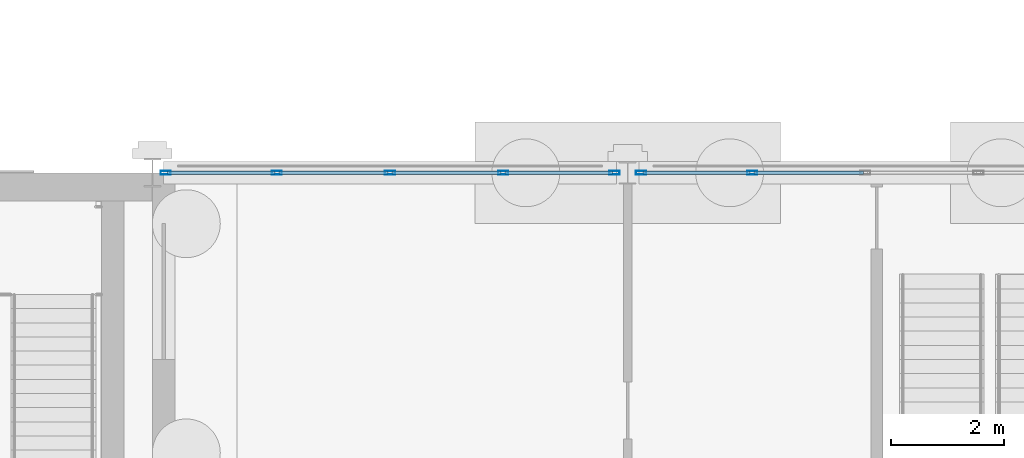
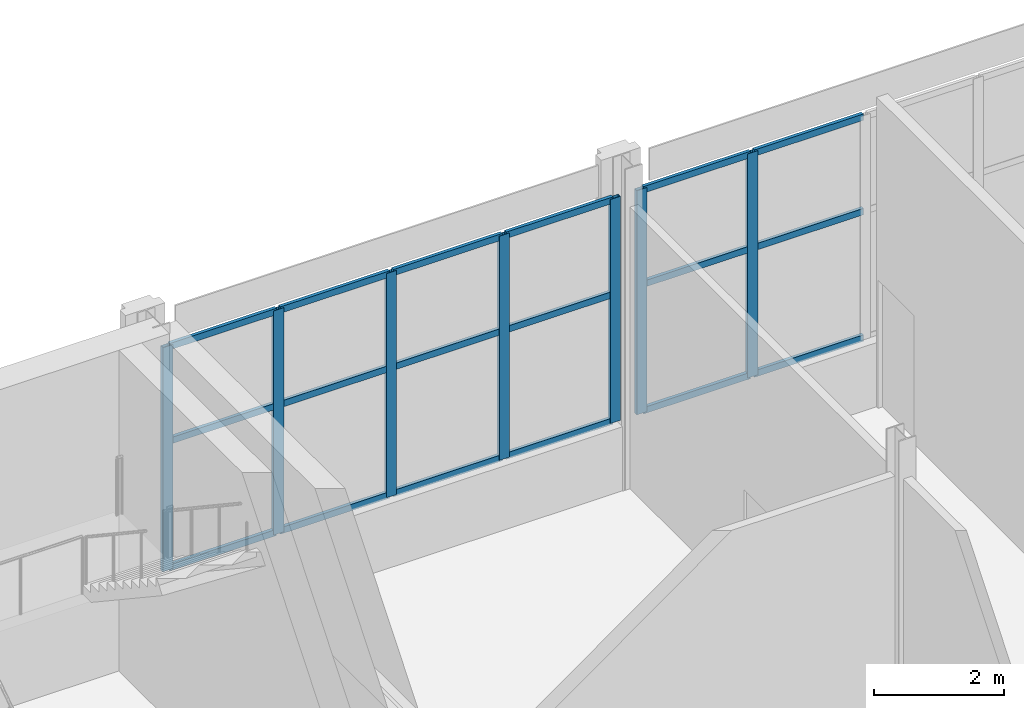
# One storey, part 163 of 212: 25 members, 2 elements without a shape of their own.
"""IFC4 building model written with IfcOpenShell, lengths in metres."""

from ifc_helpers import new_model, si_unit, direction, frame, origin, origin_2d, place, context, subcontext, project, spatial, hollow_rectangle, extrude, material, material_profile, profile_set, type_object, element, aggregate, save


model = new_model("IFC4")

# Units and contexts
model_context = context("Model", 3, precision=1e-05, world=origin(), true_north=direction((0.0, 1.0)))
body_context = subcontext(model_context, "Body", "Model", "MODEL_VIEW")
ifc_project = project(units=[si_unit("LENGTHUNIT", "METRE"), si_unit("AREAUNIT", "SQUARE_METRE"), si_unit("VOLUMEUNIT", "CUBIC_METRE"), si_unit("PLANEANGLEUNIT", "RADIAN"), si_unit("MASSUNIT", "GRAM", prefix="KILO")], contexts=[model_context])

# Site, building, storey
site_placement = place(None, origin())
site = spatial("IfcSite", under=ifc_project, at=site_placement, CompositionType="ELEMENT")
building_placement = place(site_placement, origin())
building = spatial("IfcBuilding", under=site, at=building_placement, Name="Catenary Quay Ferry Terminal", CompositionType="ELEMENT")
storey_placement = place(building_placement, origin())
storey = spatial("IfcBuildingStorey", under=building, at=storey_placement, Name="L00", CompositionType="ELEMENT", Elevation=0.0)

# Curtain wall, members
ifc_material_1 = material(Name="Aluminium and glass", Category="aluminium")
curtain_wall_type = type_object("IfcCurtainWallType", Name="CWW1", PredefinedType="NOTDEFINED", material=ifc_material_1)
curtain_wall_1_placement = place(storey_placement, origin())
curtain_wall_1 = element("IfcCurtainWall", 1, at=curtain_wall_1_placement, inside=storey, type_object=curtain_wall_type, Name="Wing curtain wall CW104", PredefinedType="NOTDEFINED")
ifc_material_2 = material(Name="Aluminium", Category="aluminium")
ifc_material_profile_1 = material_profile(ifc_material_2, hollow_rectangle(XDim=0.070068359375, YDim=0.179931640625, WallThickness=0.006103515625, at=origin_2d()), Name="MU3")
ifc_profile_set_1 = profile_set([ifc_material_profile_1], Name="Aluminium")
member_type_1 = type_object("IfcMemberType", Name="MU3", PredefinedType="MULLION", material=ifc_profile_set_1)
member_1_placement = place(storey_placement, frame((50.635009765625, 210.0, 1.199951171875), z_axis=(0.0, 0.0, 1.0), x_axis=(0.0, 1.0, 0.0)))
member_1 = element("IfcMember", 2, at=member_1_placement, type_object=member_type_1, Name="CW104 mullion 1", PredefinedType="MULLION", context=body_context, shape_type="SweptSolid", body=[
    extrude(hollow_rectangle(XDim=0.070068359375, YDim=0.179931640625, WallThickness=0.006103515625, at=origin_2d()), origin(), (0.0, 0.0, 1.0), 4.199951171875),
])
member_2_placement = place(storey_placement, frame((52.60009765625, 210.0, 1.199951171875), z_axis=(0.0, 0.0, 1.0), x_axis=(0.0, 1.0, 0.0)))
member_2 = element("IfcMember", 3, at=member_2_placement, type_object=member_type_1, Name="CW104 mullion 2", PredefinedType="MULLION", context=body_context, shape_type="SweptSolid", body=[
    extrude(hollow_rectangle(XDim=0.070068359375, YDim=0.179931640625, WallThickness=0.006103515625, at=origin_2d()), origin(), (0.0, 0.0, 1.0), 4.199951171875),
])
member_3_placement = place(storey_placement, frame((54.60009765625, 210.0, 1.199951171875), z_axis=(0.0, 0.0, 1.0), x_axis=(0.0, 1.0, 0.0)))
member_3 = element("IfcMember", 4, at=member_3_placement, type_object=member_type_1, Name="CW104 mullion 3", PredefinedType="MULLION", context=body_context, shape_type="SweptSolid", body=[
    extrude(hollow_rectangle(XDim=0.070068359375, YDim=0.179931640625, WallThickness=0.006103515625, at=origin_2d()), origin(), (0.0, 0.0, 1.0), 4.199951171875),
])
member_4_placement = place(storey_placement, frame((56.60009765625, 210.0, 1.199951171875), z_axis=(0.0, 0.0, 1.0), x_axis=(0.0, 1.0, 0.0)))
member_4 = element("IfcMember", 5, at=member_4_placement, type_object=member_type_1, Name="CW104 mullion 4", PredefinedType="MULLION", context=body_context, shape_type="SweptSolid", body=[
    extrude(hollow_rectangle(XDim=0.070068359375, YDim=0.179931640625, WallThickness=0.006103515625, at=origin_2d()), origin(), (0.0, 0.0, 1.0), 4.199951171875),
])
member_5_placement = place(storey_placement, frame((58.56494140625, 210.0, 1.199951171875), z_axis=(0.0, 0.0, 1.0), x_axis=(0.0, 1.0, 0.0)))
member_5 = element("IfcMember", 6, at=member_5_placement, type_object=member_type_1, Name="CW104 mullion 5", PredefinedType="MULLION", context=body_context, shape_type="SweptSolid", body=[
    extrude(hollow_rectangle(XDim=0.070068359375, YDim=0.179931640625, WallThickness=0.006103515625, at=origin_2d()), origin(), (0.0, 0.0, 1.0), 4.199951171875),
])

curtain_wall_2_placement = place(storey_placement, origin())
curtain_wall_2 = element("IfcCurtainWall", 7, at=curtain_wall_2_placement, inside=storey, type_object=curtain_wall_type, Name="Wing curtain wall CW105", PredefinedType="NOTDEFINED")
member_6_placement = place(storey_placement, frame((59.034912109375, 210.0, 1.199951171875), z_axis=(0.0, 0.0, 1.0), x_axis=(0.0, 1.0, 0.0)))
member_6 = element("IfcMember", 8, at=member_6_placement, type_object=member_type_1, Name="CW105 mullion 1", PredefinedType="MULLION", context=body_context, shape_type="SweptSolid", body=[
    extrude(hollow_rectangle(XDim=0.070068359375, YDim=0.179931640625, WallThickness=0.006103515625, at=origin_2d()), origin(), (0.0, 0.0, 1.0), 4.199951171875),
])
member_7_placement = place(storey_placement, frame((61.0, 210.0, 1.199951171875), z_axis=(0.0, 0.0, 1.0), x_axis=(0.0, 1.0, 0.0)))
member_7 = element("IfcMember", 9, at=member_7_placement, type_object=member_type_1, Name="CW105 mullion 2", PredefinedType="MULLION", context=body_context, shape_type="SweptSolid", body=[
    extrude(hollow_rectangle(XDim=0.070068359375, YDim=0.179931640625, WallThickness=0.006103515625, at=origin_2d()), origin(), (0.0, 0.0, 1.0), 4.199951171875),
])

# Member
ifc_material_3 = material(Name="Aluminium", Category="aluminium")
ifc_material_profile_2 = material_profile(ifc_material_3, hollow_rectangle(XDim=0.06005859375, YDim=0.1201171875, WallThickness=0.0048828125, at=origin_2d()), Name="TR3")
ifc_profile_set_2 = profile_set([ifc_material_profile_2], Name="Aluminium")
member_type_2 = type_object("IfcMemberType", Name="TR3", PredefinedType="USERDEFINED", material=ifc_profile_set_2)
member_8_placement = place(storey_placement, frame((50.669921875, 210.0, 1.22998046875), z_axis=(1.0, 0.0, 0.0), x_axis=(0.0, 1.0, 0.0)))
member_8 = element("IfcMember", 10, at=member_8_placement, type_object=member_type_2, Name="CW104 transom 1.1", ObjectType="TRANSOM", PredefinedType="USERDEFINED", context=body_context, shape_type="SweptSolid", body=[
    extrude(hollow_rectangle(XDim=0.06005859375, YDim=0.1201171875, WallThickness=0.0048828125, at=origin_2d()), origin(), (0.0, 0.0, 1.0), 1.89501953125),
])

member_9_placement = place(storey_placement, frame((50.669921875, 210.0, 3.60009765625), z_axis=(1.0, 0.0, 0.0), x_axis=(0.0, 1.0, 0.0)))
member_9 = element("IfcMember", 11, at=member_9_placement, type_object=member_type_2, Name="CW104 transom 1.2", ObjectType="TRANSOM", PredefinedType="USERDEFINED", context=body_context, shape_type="SweptSolid", body=[
    extrude(hollow_rectangle(XDim=0.06005859375, YDim=0.1201171875, WallThickness=0.0048828125, at=origin_2d()), origin(), (0.0, 0.0, 1.0), 1.89501953125),
])

member_10_placement = place(storey_placement, frame((50.669921875, 210.0, 5.3701171875), z_axis=(1.0, 0.0, 0.0), x_axis=(0.0, 1.0, 0.0)))
member_10 = element("IfcMember", 12, at=member_10_placement, type_object=member_type_2, Name="CW104 transom 1.3", ObjectType="TRANSOM", PredefinedType="USERDEFINED", context=body_context, shape_type="SweptSolid", body=[
    extrude(hollow_rectangle(XDim=0.06005859375, YDim=0.1201171875, WallThickness=0.0048828125, at=origin_2d()), origin(), (0.0, 0.0, 1.0), 1.89501953125),
])

member_11_placement = place(storey_placement, frame((52.635009765625, 210.0, 1.22998046875), z_axis=(1.0, 0.0, 0.0), x_axis=(0.0, 1.0, 0.0)))
member_11 = element("IfcMember", 13, at=member_11_placement, type_object=member_type_2, Name="CW104 transom 2.1", ObjectType="TRANSOM", PredefinedType="USERDEFINED", context=body_context, shape_type="SweptSolid", body=[
    extrude(hollow_rectangle(XDim=0.06005859375, YDim=0.1201171875, WallThickness=0.0048828125, at=origin_2d()), origin(), (0.0, 0.0, 1.0), 1.929931640625),
])

member_12_placement = place(storey_placement, frame((52.635009765625, 210.0, 3.60009765625), z_axis=(1.0, 0.0, 0.0), x_axis=(0.0, 1.0, 0.0)))
member_12 = element("IfcMember", 14, at=member_12_placement, type_object=member_type_2, Name="CW104 transom 2.2", ObjectType="TRANSOM", PredefinedType="USERDEFINED", context=body_context, shape_type="SweptSolid", body=[
    extrude(hollow_rectangle(XDim=0.06005859375, YDim=0.1201171875, WallThickness=0.0048828125, at=origin_2d()), origin(), (0.0, 0.0, 1.0), 1.929931640625),
])

member_13_placement = place(storey_placement, frame((52.635009765625, 210.0, 5.3701171875), z_axis=(1.0, 0.0, 0.0), x_axis=(0.0, 1.0, 0.0)))
member_13 = element("IfcMember", 15, at=member_13_placement, type_object=member_type_2, Name="CW104 transom 2.3", ObjectType="TRANSOM", PredefinedType="USERDEFINED", context=body_context, shape_type="SweptSolid", body=[
    extrude(hollow_rectangle(XDim=0.06005859375, YDim=0.1201171875, WallThickness=0.0048828125, at=origin_2d()), origin(), (0.0, 0.0, 1.0), 1.929931640625),
])

member_14_placement = place(storey_placement, frame((54.635009765625, 210.0, 1.22998046875), z_axis=(1.0, 0.0, 0.0), x_axis=(0.0, 1.0, 0.0)))
member_14 = element("IfcMember", 16, at=member_14_placement, type_object=member_type_2, Name="CW104 transom 3.1", ObjectType="TRANSOM", PredefinedType="USERDEFINED", context=body_context, shape_type="SweptSolid", body=[
    extrude(hollow_rectangle(XDim=0.06005859375, YDim=0.1201171875, WallThickness=0.0048828125, at=origin_2d()), origin(), (0.0, 0.0, 1.0), 1.929931640625),
])

member_15_placement = place(storey_placement, frame((54.635009765625, 210.0, 3.60009765625), z_axis=(1.0, 0.0, 0.0), x_axis=(0.0, 1.0, 0.0)))
member_15 = element("IfcMember", 17, at=member_15_placement, type_object=member_type_2, Name="CW104 transom 3.2", ObjectType="TRANSOM", PredefinedType="USERDEFINED", context=body_context, shape_type="SweptSolid", body=[
    extrude(hollow_rectangle(XDim=0.06005859375, YDim=0.1201171875, WallThickness=0.0048828125, at=origin_2d()), origin(), (0.0, 0.0, 1.0), 1.929931640625),
])

member_16_placement = place(storey_placement, frame((54.635009765625, 210.0, 5.3701171875), z_axis=(1.0, 0.0, 0.0), x_axis=(0.0, 1.0, 0.0)))
member_16 = element("IfcMember", 18, at=member_16_placement, type_object=member_type_2, Name="CW104 transom 3.3", ObjectType="TRANSOM", PredefinedType="USERDEFINED", context=body_context, shape_type="SweptSolid", body=[
    extrude(hollow_rectangle(XDim=0.06005859375, YDim=0.1201171875, WallThickness=0.0048828125, at=origin_2d()), origin(), (0.0, 0.0, 1.0), 1.929931640625),
])

member_17_placement = place(storey_placement, frame((56.635009765625, 210.0, 1.22998046875), z_axis=(1.0, 0.0, 0.0), x_axis=(0.0, 1.0, 0.0)))
member_17 = element("IfcMember", 19, at=member_17_placement, type_object=member_type_2, Name="CW104 transom 4.1", ObjectType="TRANSOM", PredefinedType="USERDEFINED", context=body_context, shape_type="SweptSolid", body=[
    extrude(hollow_rectangle(XDim=0.06005859375, YDim=0.1201171875, WallThickness=0.0048828125, at=origin_2d()), origin(), (0.0, 0.0, 1.0), 1.89501953125),
])

member_18_placement = place(storey_placement, frame((56.635009765625, 210.0, 3.60009765625), z_axis=(1.0, 0.0, 0.0), x_axis=(0.0, 1.0, 0.0)))
member_18 = element("IfcMember", 20, at=member_18_placement, type_object=member_type_2, Name="CW104 transom 4.2", ObjectType="TRANSOM", PredefinedType="USERDEFINED", context=body_context, shape_type="SweptSolid", body=[
    extrude(hollow_rectangle(XDim=0.06005859375, YDim=0.1201171875, WallThickness=0.0048828125, at=origin_2d()), origin(), (0.0, 0.0, 1.0), 1.89501953125),
])

member_19_placement = place(storey_placement, frame((56.635009765625, 210.0, 5.3701171875), z_axis=(1.0, 0.0, 0.0), x_axis=(0.0, 1.0, 0.0)))
member_19 = element("IfcMember", 21, at=member_19_placement, type_object=member_type_2, Name="CW104 transom 4.3", ObjectType="TRANSOM", PredefinedType="USERDEFINED", context=body_context, shape_type="SweptSolid", body=[
    extrude(hollow_rectangle(XDim=0.06005859375, YDim=0.1201171875, WallThickness=0.0048828125, at=origin_2d()), origin(), (0.0, 0.0, 1.0), 1.89501953125),
])

aggregate(curtain_wall_1, [member_1, member_2, member_3, member_4, member_5, member_8, member_9, member_10, member_11, member_12, member_13, member_14, member_15, member_16, member_17, member_18, member_19])

member_20_placement = place(storey_placement, frame((59.070068359375, 210.0, 1.22998046875), z_axis=(1.0, 0.0, 0.0), x_axis=(0.0, 1.0, 0.0)))
member_20 = element("IfcMember", 22, at=member_20_placement, type_object=member_type_2, Name="CW105 transom 1.1", ObjectType="TRANSOM", PredefinedType="USERDEFINED", context=body_context, shape_type="SweptSolid", body=[
    extrude(hollow_rectangle(XDim=0.06005859375, YDim=0.1201171875, WallThickness=0.0048828125, at=origin_2d()), origin(), (0.0, 0.0, 1.0), 1.89501953125),
])

member_21_placement = place(storey_placement, frame((59.070068359375, 210.0, 3.60009765625), z_axis=(1.0, 0.0, 0.0), x_axis=(0.0, 1.0, 0.0)))
member_21 = element("IfcMember", 23, at=member_21_placement, type_object=member_type_2, Name="CW105 transom 1.2", ObjectType="TRANSOM", PredefinedType="USERDEFINED", context=body_context, shape_type="SweptSolid", body=[
    extrude(hollow_rectangle(XDim=0.06005859375, YDim=0.1201171875, WallThickness=0.0048828125, at=origin_2d()), origin(), (0.0, 0.0, 1.0), 1.89501953125),
])

member_22_placement = place(storey_placement, frame((59.070068359375, 210.0, 5.3701171875), z_axis=(1.0, 0.0, 0.0), x_axis=(0.0, 1.0, 0.0)))
member_22 = element("IfcMember", 24, at=member_22_placement, type_object=member_type_2, Name="CW105 transom 1.3", ObjectType="TRANSOM", PredefinedType="USERDEFINED", context=body_context, shape_type="SweptSolid", body=[
    extrude(hollow_rectangle(XDim=0.06005859375, YDim=0.1201171875, WallThickness=0.0048828125, at=origin_2d()), origin(), (0.0, 0.0, 1.0), 1.89501953125),
])

member_23_placement = place(storey_placement, frame((61.034912109375, 210.0, 1.22998046875), z_axis=(1.0, 0.0, 0.0), x_axis=(0.0, 1.0, 0.0)))
member_23 = element("IfcMember", 25, at=member_23_placement, type_object=member_type_2, Name="CW105 transom 2.1", ObjectType="TRANSOM", PredefinedType="USERDEFINED", context=body_context, shape_type="SweptSolid", body=[
    extrude(hollow_rectangle(XDim=0.06005859375, YDim=0.1201171875, WallThickness=0.0048828125, at=origin_2d()), origin(), (0.0, 0.0, 1.0), 1.93017578125),
])

member_24_placement = place(storey_placement, frame((61.034912109375, 210.0, 3.60009765625), z_axis=(1.0, 0.0, 0.0), x_axis=(0.0, 1.0, 0.0)))
member_24 = element("IfcMember", 26, at=member_24_placement, type_object=member_type_2, Name="CW105 transom 2.2", ObjectType="TRANSOM", PredefinedType="USERDEFINED", context=body_context, shape_type="SweptSolid", body=[
    extrude(hollow_rectangle(XDim=0.06005859375, YDim=0.1201171875, WallThickness=0.0048828125, at=origin_2d()), origin(), (0.0, 0.0, 1.0), 1.93017578125),
])

member_25_placement = place(storey_placement, frame((61.034912109375, 210.0, 5.3701171875), z_axis=(1.0, 0.0, 0.0), x_axis=(0.0, 1.0, 0.0)))
member_25 = element("IfcMember", 27, at=member_25_placement, type_object=member_type_2, Name="CW105 transom 2.3", ObjectType="TRANSOM", PredefinedType="USERDEFINED", context=body_context, shape_type="SweptSolid", body=[
    extrude(hollow_rectangle(XDim=0.06005859375, YDim=0.1201171875, WallThickness=0.0048828125, at=origin_2d()), origin(), (0.0, 0.0, 1.0), 1.93017578125),
])

aggregate(curtain_wall_2, [member_6, member_7, member_20, member_21, member_22, member_23, member_24, member_25])

save(model, "model.ifc")
